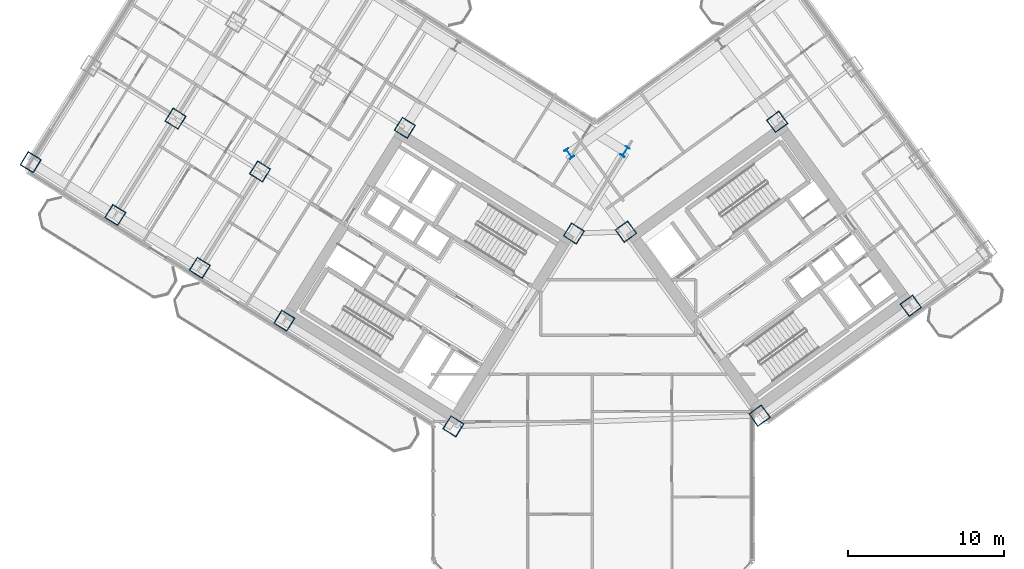
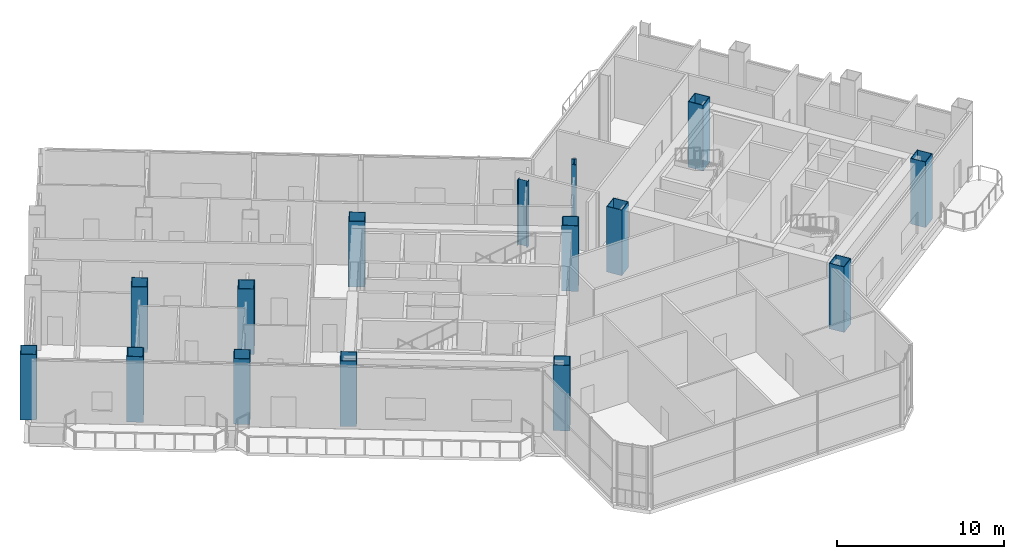
# One storey, part 1 of 22: 15 columns.
"""IFC4 building model written with IfcOpenShell, lengths in metres."""

from ifc_helpers import new_model, si_unit, direction, frame, origin, origin_2d, place, context, subcontext, project, spatial, hollow_rectangle, i_section, extrude, source, transform, mapped, material, material_profile, profile_set, type_object, element, save


model = new_model("IFC4")

# Units and contexts
model_context = context("Model", 3, precision=1e-05, world=origin(), true_north=direction((0.0, 1.0)))
body_context = subcontext(model_context, "Body", "Model", "MODEL_VIEW")
ifc_project = project(units=[si_unit("LENGTHUNIT", "METRE"), si_unit("AREAUNIT", "SQUARE_METRE"), si_unit("VOLUMEUNIT", "CUBIC_METRE"), si_unit("PLANEANGLEUNIT", "RADIAN"), si_unit("MASSUNIT", "GRAM", prefix="KILO")], contexts=[model_context])

# Site, building, storey
site_placement = place(None, origin())
site = spatial("IfcSite", under=ifc_project, at=site_placement, CompositionType="ELEMENT")
building_placement = place(site_placement, origin())
building = spatial("IfcBuilding", under=site, at=building_placement, Name="Tlacorven Tower", CompositionType="ELEMENT")
storey_placement = place(building_placement, frame((0.0, 0.0, 71.699951171875)))
storey = spatial("IfcBuildingStorey", under=building, at=storey_placement, Name="L18", CompositionType="ELEMENT", Elevation=71.699951171875)

# Columns
ifc_material = material(Name="Steel S460M", Category="steel")
ifc_material_profile_1 = material_profile(ifc_material, hollow_rectangle(XDim=1.0, YDim=1.0, WallThickness=0.0400390625, at=origin_2d()), Name="BOX 1000X1000X40")
ifc_profile_set_1 = profile_set([ifc_material_profile_1], Name="Steel S460M")
column_type_1 = type_object("IfcColumnType", Name="COL-TWR-S1", PredefinedType="COLUMN", material=ifc_profile_set_1)
shared_shape_1 = source(origin(), body_context, "Body", "SweptSolid", [
    extrude(hollow_rectangle(XDim=1.0, YDim=1.0, WallThickness=0.0400390625, at=origin_2d()), origin(), (0.0, 0.0, 1.0), 4.800048828125),
])
for number, where, z_axis, x_axis, name in (
    (1, (40.782958984375, 24.468505859375, 0.0), (0.0, 0.0, 1.0), (-0.848048096156, 0.529919264233, 0.0), "L18 column COL-L18-W1-2"),
    (2, (33.046142578125, 12.0869140625, 0.0), (0.0, 0.0, 1.0), (-0.848048096156, 0.529919264233, 0.0), "L18 column COL-L18-W1-4"),
    (3, (29.927978515625, 31.25146484375, 0.0), (0.0, 0.0, 1.0), (-0.848048096156, 0.529919264233, 0.0), "L18 column COL-L18-W3-2"),
    (4, (22.191162109375, 18.869873046875, 0.0), (0.0, 0.0, 1.0), (-0.848048096156, 0.529919264233, 0.0), "L18 column COL-L18-W3-4"),
    (5, (20.632080078125, 28.4521484375, 0.0), (0.0, 0.0, 1.0), (-0.848048096156, 0.529919264233, 0.0), "L18 column COL-L18-W4-3"),
    (6, (16.763671875, 22.26123046875, 0.0), (0.0, 0.0, 1.0), (-0.848048096156, 0.529919264233, 0.0), "L18 column COL-L18-W4-4"),
    (7, (15.20458984375, 31.843505859375, 0.0), (0.0, 0.0, 1.0), (-0.848048096156, 0.529919264233, 0.0), "L18 column COL-L18-W5-3"),
    (8, (11.336181640625, 25.65283203125, 0.0), (0.0, 0.0, 1.0), (-0.848048096156, 0.529919264233, 0.0), "L18 column COL-L18-W5-4"),
    (9, (5.90869140625, 29.044189453125, 0.0), (0.0, 0.0, 1.0), (-0.848048096156, 0.529919264233, 0.0), "L18 column COL-L18-W6-4"),
    (10, (52.705322265625, 12.7734375, 0.0), (0.0, 0.0, 1.0), (0.809016994375, 0.587785252292, 0.0), "L18 column COL-L18-E1-1"),
    (11, (44.123779296875, 24.5849609375, 0.0), (0.0, 0.0, 1.0), (0.809016994375, 0.587785252292, 0.0), "L18 column COL-L18-E1-3"),
    (12, (62.41357421875, 19.826904296875, 0.0), (0.0, 0.0, 1.0), (0.809016994375, 0.587785252292, 0.0), "L18 column COL-L18-E3-1"),
    (13, (53.83203125, 31.638427734375, 0.0), (0.0, 0.0, 1.0), (0.809016994375, 0.587785252292, 0.0), "L18 column COL-L18-E3-3"),
):
    element("IfcColumn", number, at=place(storey_placement, frame(where, z_axis=z_axis, x_axis=x_axis)), inside=storey, type_object=column_type_1, Name=name, PredefinedType="COLUMN", context=body_context, shape_type="MappedRepresentation", body=[
        mapped(shared_shape_1, transform((0.0, 0.0, 0.0), scale=1.0)),
    ])
ifc_material_profile_2 = material_profile(ifc_material, i_section(OverallWidth=0.300048828125, OverallDepth=0.64990234375, WebThickness=0.01611328125, FlangeThickness=0.031005859375, at=origin_2d()), Name="HEB 650")
ifc_profile_set_2 = profile_set([ifc_material_profile_2], Name="Steel S460M")
column_type_2 = type_object("IfcColumnType", Name="COL-TWR-P1", PredefinedType="COLUMN", material=ifc_profile_set_2)
shared_shape_2 = source(origin(), body_context, "Body", "SweptSolid", [
    extrude(i_section(OverallWidth=0.300048828125, OverallDepth=0.64990234375, WebThickness=0.01611328125, FlangeThickness=0.031005859375, at=origin_2d()), origin(), (0.0, 0.0, 1.0), 4.800048828125),
])
for number, where, z_axis, x_axis, name in (
    (14, (44.068359375, 29.726318359375, 0.0), (0.0, 0.0, 1.0), (-0.848048096156, 0.529919264233, 0.0), "L18 column COL-L18-W1-1"),
    (15, (40.4794921875, 29.60107421875, 0.0), (0.0, 0.0, 1.0), (0.809016994375, 0.587785252292, 0.0), "L18 column COL-L18-E1-4"),
):
    element("IfcColumn", number, at=place(storey_placement, frame(where, z_axis=z_axis, x_axis=x_axis)), inside=storey, type_object=column_type_2, Name=name, PredefinedType="COLUMN", context=body_context, shape_type="MappedRepresentation", body=[
        mapped(shared_shape_2, transform((0.0, 0.0, 0.0), scale=1.0)),
    ])

save(model, "model.ifc")
